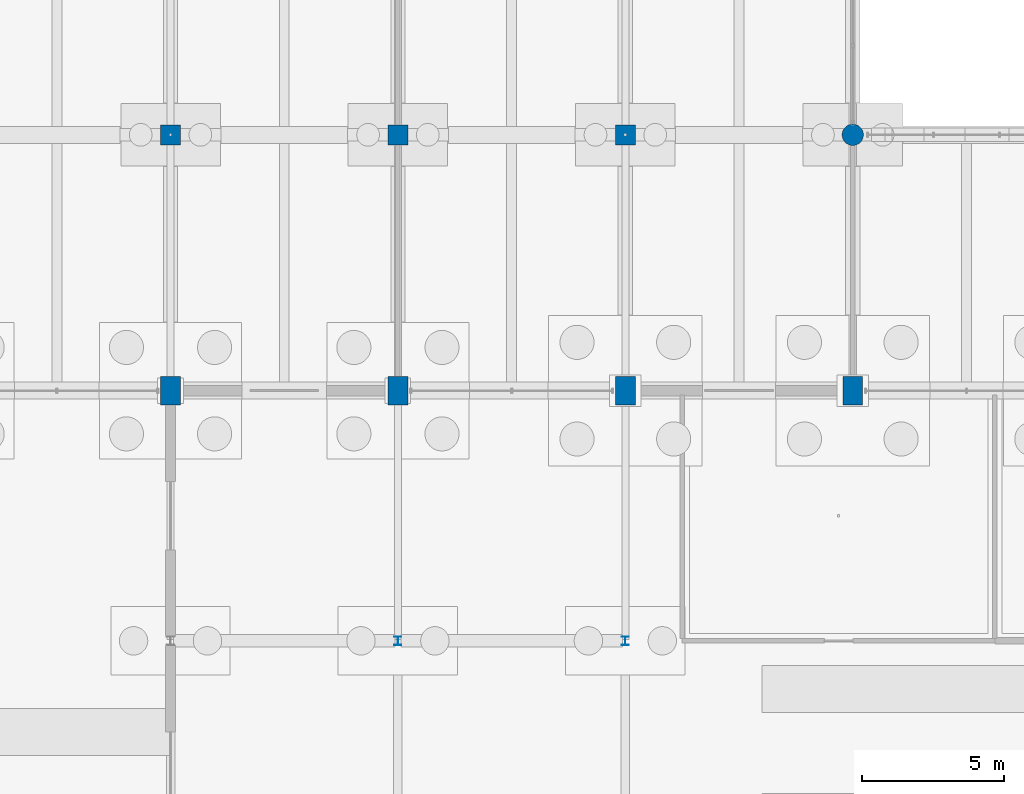
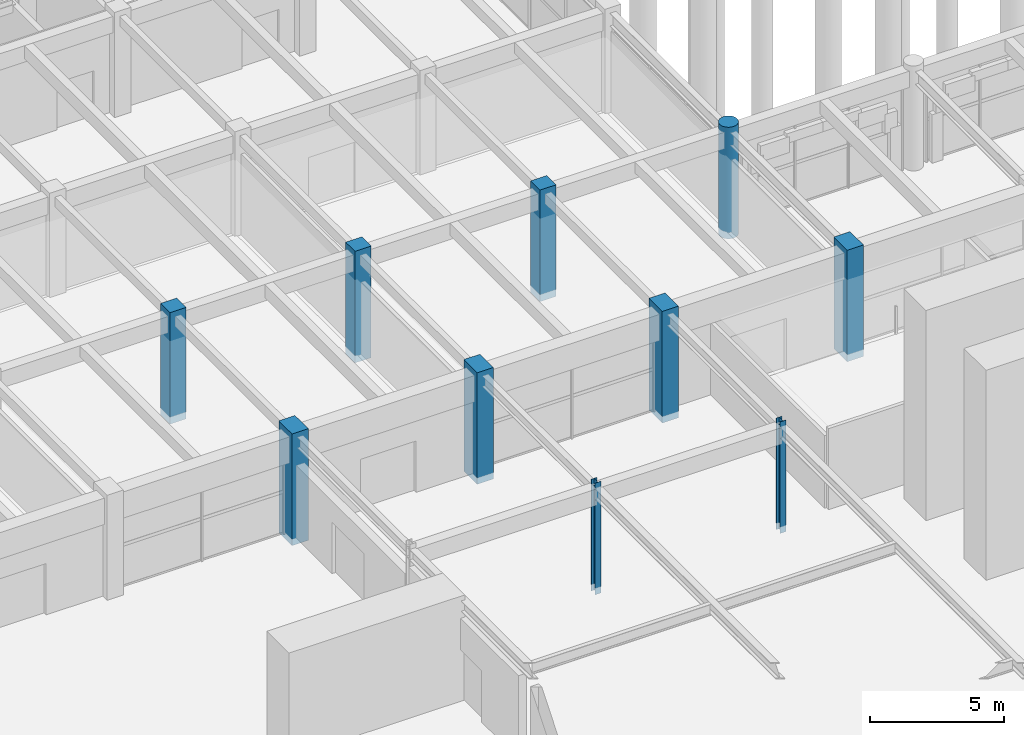
# One storey, part 15 of 147: 10 columns.
"""IFC4 building model written with IfcOpenShell, lengths in metres."""

from ifc_helpers import new_model, si_unit, direction, frame, origin, origin_2d, place, context, subcontext, project, spatial, rectangle, circle, i_section, extrude, material, material_profile, profile_set, type_object, element, save


model = new_model("IFC4")

# Units and contexts
model_context = context("Model", 3, precision=1e-05, world=origin(), true_north=direction((0.0, 1.0)))
body_context = subcontext(model_context, "Body", "Model", "MODEL_VIEW")
ifc_project = project(units=[si_unit("LENGTHUNIT", "METRE"), si_unit("AREAUNIT", "SQUARE_METRE"), si_unit("VOLUMEUNIT", "CUBIC_METRE"), si_unit("PLANEANGLEUNIT", "RADIAN"), si_unit("MASSUNIT", "GRAM", prefix="KILO")], contexts=[model_context])

# Site, building, storey
site_placement = place(None, origin())
site = spatial("IfcSite", under=ifc_project, at=site_placement, CompositionType="ELEMENT")
building_placement = place(site_placement, origin())
building = spatial("IfcBuilding", under=site, at=building_placement, Name="Varnabhumi Central Station", CompositionType="ELEMENT")
storey_placement = place(building_placement, origin())
storey = spatial("IfcBuildingStorey", under=building, at=storey_placement, Name="L00", CompositionType="ELEMENT", Elevation=0.0)

# Columns
ifc_material_1 = material(Name="Structural steel E350", Category="steel")
ifc_material_profile_1 = material_profile(ifc_material_1, i_section(OverallWidth=0.25, OverallDepth=0.300048828125, WebThickness=0.009521484375, FlangeThickness=0.010498046875, FilletRadius=0.010986328125, at=origin_2d()), Name="Structural steel E350", Category="steel")
ifc_profile_set_1 = profile_set([ifc_material_profile_1], Name="Structural steel E350")
column_type_1 = type_object("IfcColumnType", Name="COL-GALLERY-ISHB300", PredefinedType="COLUMN", material=ifc_profile_set_1)
for number, where, z_axis, x_axis, name in (
    (1, (32.0, 71.199951171875, -0.300048828125), (0.0, 0.0, 1.0), (1.0, 0.0, 0.0), "Gallery Column L00-5J"),
    (2, (40.0, 71.199951171875, -0.300048828125), (0.0, 0.0, 1.0), (1.0, 0.0, 0.0), "Gallery Column L00-6J"),
):
    element("IfcColumn", number, at=place(storey_placement, frame(where, z_axis=z_axis, x_axis=x_axis)), inside=storey, type_object=column_type_1, Name=name, PredefinedType="COLUMN", context=body_context, shape_type="SweptSolid", body=[
        extrude(i_section(OverallWidth=0.25, OverallDepth=0.300048828125, WebThickness=0.009521484375, FlangeThickness=0.010498046875, FilletRadius=0.010986328125, at=origin_2d()), origin(), (0.0, 0.0, 1.0), 5.10009765625),
    ])
ifc_material_2 = material(Name="Concrete M40", Category="concrete")
ifc_material_profile_2 = material_profile(ifc_material_2, rectangle(XDim=0.699951171875, YDim=0.699951171875, at=origin_2d()), Name="Concrete M40", Category="concrete")
ifc_profile_set_2 = profile_set([ifc_material_profile_2], Name="Concrete M40")
column_type_2 = type_object("IfcColumnType", Name="COL-NORTH-700", PredefinedType="COLUMN", material=ifc_profile_set_2)
for number, where, z_axis, x_axis, name in (
    (3, (24.0, 89.0, -0.300048828125), (0.0, 0.0, 1.0), (1.0, 0.0, 0.0), "Column L00-4L"),
    (4, (32.0, 89.0, -0.300048828125), (0.0, 0.0, 1.0), (1.0, 0.0, 0.0), "Column L00-5L"),
    (5, (40.0, 89.0, -0.300048828125), (0.0, 0.0, 1.0), (1.0, 0.0, 0.0), "Column L00-6L"),
):
    element("IfcColumn", number, at=place(storey_placement, frame(where, z_axis=z_axis, x_axis=x_axis)), inside=storey, type_object=column_type_2, Name=name, PredefinedType="COLUMN", context=body_context, shape_type="SweptSolid", body=[
        extrude(rectangle(XDim=0.699951171875, YDim=0.699951171875, at=origin_2d()), origin(), (0.0, 0.0, 1.0), 5.10009765625),
    ])
ifc_material_profile_3 = material_profile(ifc_material_2, circle(Radius=0.375, at=origin_2d()), Name="Concrete M40", Category="concrete")
ifc_profile_set_3 = profile_set([ifc_material_profile_3], Name="Concrete M40")
column_type_3 = type_object("IfcColumnType", Name="COL-PATIO-D750", PredefinedType="PILASTER", material=ifc_profile_set_3)
column_placement = place(storey_placement, frame((48.0, 89.0, -0.300048828125), z_axis=(0.0, 0.0, 1.0), x_axis=(1.0, 0.0, 0.0)))
element("IfcColumn", 6, at=column_placement, inside=storey, type_object=column_type_3, Name="Column L00-7L", PredefinedType="PILASTER", context=body_context, shape_type="SweptSolid", body=[
    extrude(circle(Radius=0.375, at=origin_2d()), origin(), (0.0, 0.0, 1.0), 5.10009765625),
])
ifc_material_3 = material(Name="Concrete M50", Category="concrete")
ifc_material_profile_4 = material_profile(ifc_material_3, rectangle(XDim=0.699951171875, YDim=1.0, at=origin_2d()), Name="Concrete M50", Category="concrete")
ifc_profile_set_4 = profile_set([ifc_material_profile_4], Name="Concrete M50")
column_type_4 = type_object("IfcColumnType", Name="COL-SPINE-M50-1000x700", PredefinedType="COLUMN", material=ifc_profile_set_4)
for number, where, z_axis, x_axis, name in (
    (7, (24.0, 80.0, -0.300048828125), (0.0, 0.0, 1.0), (1.0, 0.0, 0.0), "Column L00-4K"),
    (8, (32.0, 80.0, -0.300048828125), (0.0, 0.0, 1.0), (1.0, 0.0, 0.0), "Column L00-5K"),
    (9, (40.0, 80.0, -0.300048828125), (0.0, 0.0, 1.0), (1.0, 0.0, 0.0), "Column L00-6K"),
    (10, (48.0, 80.0, -0.300048828125), (0.0, 0.0, 1.0), (1.0, 0.0, 0.0), "Column L00-7K"),
):
    element("IfcColumn", number, at=place(storey_placement, frame(where, z_axis=z_axis, x_axis=x_axis)), inside=storey, type_object=column_type_4, Name=name, PredefinedType="COLUMN", context=body_context, shape_type="SweptSolid", body=[
        extrude(rectangle(XDim=0.699951171875, YDim=1.0, at=origin_2d()), origin(), (0.0, 0.0, 1.0), 5.10009765625),
    ])

save(model, "model.ifc")
